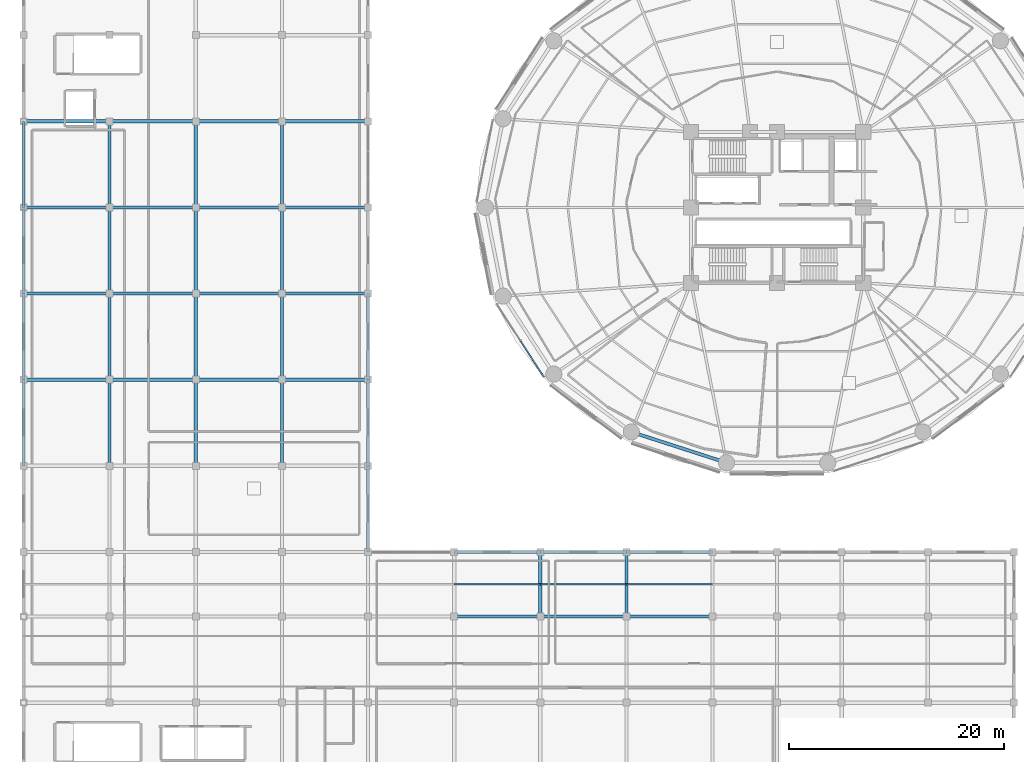
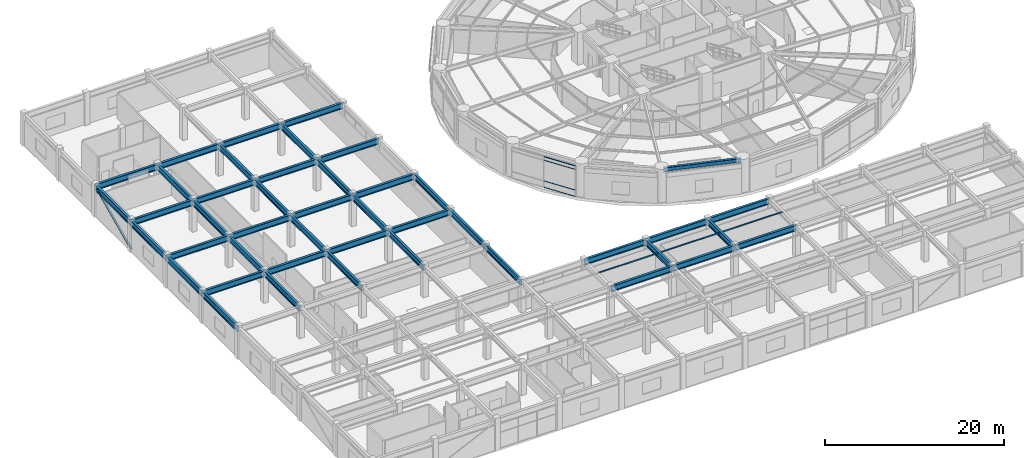
# One storey, part 7 of 46: 44 beams, 8 members, 1 element without a shape of its own.
"""IFC4 building model written with IfcOpenShell, lengths in metres."""

from ifc_helpers import new_model, si_unit, direction, frame, origin, origin_2d, place, context, subcontext, project, spatial, hollow_rectangle, hollow_circle, i_section, extrude, material, layer, layer_set, material_profile, profile_set, type_object, element, aggregate, save


model = new_model("IFC4")

# Units and contexts
model_context = context("Model", 3, precision=1e-05, world=origin(), true_north=direction((0.0, 1.0)))
body_context = subcontext(model_context, "Body", "Model", "MODEL_VIEW")
ifc_project = project(units=[si_unit("LENGTHUNIT", "METRE"), si_unit("AREAUNIT", "SQUARE_METRE"), si_unit("VOLUMEUNIT", "CUBIC_METRE"), si_unit("PLANEANGLEUNIT", "RADIAN"), si_unit("MASSUNIT", "GRAM", prefix="KILO")], contexts=[model_context])

# Site, building, storey
site_placement = place(None, origin())
site = spatial("IfcSite", under=ifc_project, at=site_placement, CompositionType="ELEMENT")
building_placement = place(site_placement, origin())
building = spatial("IfcBuilding", under=site, at=building_placement, Name="Kelanora Arch Commons", CompositionType="ELEMENT")
storey_placement = place(building_placement, frame((0.0, 0.0, 18.0)))
storey = spatial("IfcBuildingStorey", under=building, at=storey_placement, Name="L04", CompositionType="ELEMENT", Elevation=18.0)

# Beams
ifc_material_1 = material(Name="Steel S355", Category="steel")
ifc_material_profile_1 = material_profile(ifc_material_1, i_section(OverallWidth=0.300048828125, OverallDepth=0.800048828125, WebThickness=0.017578125, FlangeThickness=0.032958984375, FilletRadius=0.030029296875, at=origin_2d()), Name="HEB800")
ifc_profile_set_1 = profile_set([ifc_material_profile_1], Name="Steel S355")
beam_type_1 = type_object("IfcBeamType", Name="BM-MKT-ROOF", PredefinedType="USERDEFINED", material=ifc_profile_set_1)
for number, where, z_axis, x_axis, name in (
    (1, (4.0, 34.0, 3.860107421875), (0.0, 1.0, 0.0), (-1.0, 0.0, 0.0), "Market/Basement Frame Beam 010 L04"),
    (2, (4.0, 42.0, 3.860107421875), (1.0, 0.0, 0.0), (0.0, 1.0, 0.0), "Market/Basement Frame Beam 011 L04"),
    (3, (4.0, 42.0, 3.860107421875), (0.0, 1.0, 0.0), (-1.0, 0.0, 0.0), "Market/Basement Frame Beam 012 L04"),
    (4, (4.0, 50.0, 3.860107421875), (1.0, 0.0, 0.0), (0.0, 1.0, 0.0), "Market/Basement Frame Beam 013 L04"),
    (5, (4.0, 50.0, 3.860107421875), (0.0, 1.0, 0.0), (-1.0, 0.0, 0.0), "Market/Basement Frame Beam 014 L04"),
    (6, (4.0, 58.0, 3.860107421875), (1.0, 0.0, 0.0), (0.0, 1.0, 0.0), "Market/Basement Frame Beam 015 L04"),
    (7, (4.0, 58.0, 3.860107421875), (0.0, 1.0, 0.0), (-1.0, 0.0, 0.0), "Market/Basement Frame Beam 016 L04"),
    (8, (4.0, 66.0, 3.860107421875), (1.0, 0.0, 0.0), (0.0, 1.0, 0.0), "Market/Basement Frame Beam 017 L04"),
    (9, (12.0, 34.0, 3.860107421875), (0.0, 1.0, 0.0), (-1.0, 0.0, 0.0), "Market/Basement Frame Beam 029 L04"),
    (10, (12.0, 42.0, 3.860107421875), (1.0, 0.0, 0.0), (0.0, 1.0, 0.0), "Market/Basement Frame Beam 030 L04"),
    (11, (12.0, 42.0, 3.860107421875), (0.0, 1.0, 0.0), (-1.0, 0.0, 0.0), "Market/Basement Frame Beam 031 L04"),
    (12, (12.0, 50.0, 3.860107421875), (1.0, 0.0, 0.0), (0.0, 1.0, 0.0), "Market/Basement Frame Beam 032 L04"),
    (13, (12.0, 50.0, 3.860107421875), (0.0, 1.0, 0.0), (-1.0, 0.0, 0.0), "Market/Basement Frame Beam 033 L04"),
    (14, (12.0, 58.0, 3.860107421875), (1.0, 0.0, 0.0), (0.0, 1.0, 0.0), "Market/Basement Frame Beam 034 L04"),
    (15, (12.0, 58.0, 3.860107421875), (0.0, 1.0, 0.0), (-1.0, 0.0, 0.0), "Market/Basement Frame Beam 035 L04"),
    (16, (12.0, 66.0, 3.860107421875), (1.0, 0.0, 0.0), (0.0, 1.0, 0.0), "Market/Basement Frame Beam 036 L04"),
    (17, (20.0, 34.0, 3.860107421875), (0.0, 1.0, 0.0), (-1.0, 0.0, 0.0), "Market/Basement Frame Beam 047 L04"),
    (18, (20.0, 42.0, 3.860107421875), (1.0, 0.0, 0.0), (0.0, 1.0, 0.0), "Market/Basement Frame Beam 048 L04"),
    (19, (20.0, 42.0, 3.860107421875), (0.0, 1.0, 0.0), (-1.0, 0.0, 0.0), "Market/Basement Frame Beam 049 L04"),
    (20, (20.0, 50.0, 3.860107421875), (1.0, 0.0, 0.0), (0.0, 1.0, 0.0), "Market/Basement Frame Beam 050 L04"),
    (21, (20.0, 50.0, 3.860107421875), (0.0, 1.0, 0.0), (-1.0, 0.0, 0.0), "Market/Basement Frame Beam 051 L04"),
    (22, (20.0, 58.0, 3.860107421875), (1.0, 0.0, 0.0), (0.0, 1.0, 0.0), "Market/Basement Frame Beam 052 L04"),
    (23, (20.0, 58.0, 3.860107421875), (0.0, 1.0, 0.0), (-1.0, 0.0, 0.0), "Market/Basement Frame Beam 053 L04"),
    (24, (20.0, 66.0, 3.860107421875), (1.0, 0.0, 0.0), (0.0, 1.0, 0.0), "Market/Basement Frame Beam 054 L04"),
    (25, (28.0, 34.0, 3.860107421875), (0.0, 1.0, 0.0), (-1.0, 0.0, 0.0), "Market/Basement Frame Beam 068 L04"),
    (26, (28.0, 42.0, 3.860107421875), (1.0, 0.0, 0.0), (0.0, 1.0, 0.0), "Market/Basement Frame Beam 069 L04"),
    (27, (28.0, 42.0, 3.860107421875), (0.0, 1.0, 0.0), (-1.0, 0.0, 0.0), "Market/Basement Frame Beam 070 L04"),
    (28, (28.0, 50.0, 3.860107421875), (1.0, 0.0, 0.0), (0.0, 1.0, 0.0), "Market/Basement Frame Beam 071 L04"),
    (29, (28.0, 50.0, 3.860107421875), (0.0, 1.0, 0.0), (-1.0, 0.0, 0.0), "Market/Basement Frame Beam 072 L04"),
    (30, (28.0, 58.0, 3.860107421875), (1.0, 0.0, 0.0), (0.0, 1.0, 0.0), "Market/Basement Frame Beam 073 L04"),
    (31, (28.0, 58.0, 3.860107421875), (0.0, 1.0, 0.0), (-1.0, 0.0, 0.0), "Market/Basement Frame Beam 074 L04"),
    (32, (28.0, 66.0, 3.860107421875), (1.0, 0.0, 0.0), (0.0, 1.0, 0.0), "Market/Basement Frame Beam 075 L04"),
    (33, (36.0, 26.0, 3.860107421875), (0.0, 1.0, 0.0), (-1.0, 0.0, 0.0), "Market/Basement Frame Beam 087 L04"),
    (34, (36.0, 34.0, 3.860107421875), (0.0, 1.0, 0.0), (-1.0, 0.0, 0.0), "Market/Basement Frame Beam 088 L04"),
    (35, (36.0, 42.0, 3.860107421875), (0.0, 1.0, 0.0), (-1.0, 0.0, 0.0), "Market/Basement Frame Beam 089 L04"),
    (36, (44.0, 20.0, 3.860107421875), (1.0, 0.0, 0.0), (0.0, 1.0, 0.0), "Market/Basement Frame Beam 098 L04"),
    (37, (44.0, 26.0, 3.860107421875), (1.0, 0.0, 0.0), (0.0, 1.0, 0.0), "Market/Basement Frame Beam 100 L04"),
    (38, (52.0, 20.0, 3.860107421875), (1.0, 0.0, 0.0), (0.0, 1.0, 0.0), "Market/Basement Frame Beam 105 L04"),
):
    element("IfcBeam", number, at=place(storey_placement, frame(where, z_axis=z_axis, x_axis=x_axis)), inside=storey, type_object=beam_type_1, Name=name, ObjectType="TRANSFER_GIRDER", PredefinedType="USERDEFINED", context=body_context, shape_type="SweptSolid", body=[
        extrude(i_section(OverallWidth=0.300048828125, OverallDepth=0.800048828125, WebThickness=0.017578125, FlangeThickness=0.032958984375, FilletRadius=0.030029296875, at=origin_2d()), origin(), (0.0, 0.0, 1.0), 8.0),
    ])
beam_1_placement = place(storey_placement, frame((52.0, 20.0, 3.860107421875), z_axis=(0.0, 1.0, 0.0), x_axis=(-1.0, 0.0, 0.0)))
element("IfcBeam", 39, at=beam_1_placement, inside=storey, type_object=beam_type_1, Name="Market/Basement Frame Beam 106 L04", ObjectType="TRANSFER_GIRDER", PredefinedType="USERDEFINED", context=body_context, shape_type="SweptSolid", body=[
    extrude(i_section(OverallWidth=0.300048828125, OverallDepth=0.800048828125, WebThickness=0.017578125, FlangeThickness=0.032958984375, FilletRadius=0.030029296875, at=origin_2d()), origin(), (0.0, 0.0, 1.0), 6.0),
])
for number, where, z_axis, x_axis, name in (
    (40, (52.0, 26.0, 3.860107421875), (1.0, 0.0, 0.0), (0.0, 1.0, 0.0), "Market/Basement Frame Beam 107 L04"),
    (41, (60.0, 20.0, 3.860107421875), (1.0, 0.0, 0.0), (0.0, 1.0, 0.0), "Market/Basement Frame Beam 112 L04"),
):
    element("IfcBeam", number, at=place(storey_placement, frame(where, z_axis=z_axis, x_axis=x_axis)), inside=storey, type_object=beam_type_1, Name=name, ObjectType="TRANSFER_GIRDER", PredefinedType="USERDEFINED", context=body_context, shape_type="SweptSolid", body=[
        extrude(i_section(OverallWidth=0.300048828125, OverallDepth=0.800048828125, WebThickness=0.017578125, FlangeThickness=0.032958984375, FilletRadius=0.030029296875, at=origin_2d()), origin(), (0.0, 0.0, 1.0), 8.0),
    ])
beam_2_placement = place(storey_placement, frame((60.0, 20.0, 3.860107421875), z_axis=(0.0, 1.0, 0.0), x_axis=(-1.0, 0.0, 0.0)))
element("IfcBeam", 42, at=beam_2_placement, inside=storey, type_object=beam_type_1, Name="Market/Basement Frame Beam 113 L04", ObjectType="TRANSFER_GIRDER", PredefinedType="USERDEFINED", context=body_context, shape_type="SweptSolid", body=[
    extrude(i_section(OverallWidth=0.300048828125, OverallDepth=0.800048828125, WebThickness=0.017578125, FlangeThickness=0.032958984375, FilletRadius=0.030029296875, at=origin_2d()), origin(), (0.0, 0.0, 1.0), 6.0),
])
beam_3_placement = place(storey_placement, frame((60.0, 26.0, 3.860107421875), z_axis=(1.0, 0.0, 0.0), x_axis=(0.0, 1.0, 0.0)))
element("IfcBeam", 43, at=beam_3_placement, inside=storey, type_object=beam_type_1, Name="Market/Basement Frame Beam 114 L04", ObjectType="TRANSFER_GIRDER", PredefinedType="USERDEFINED", context=body_context, shape_type="SweptSolid", body=[
    extrude(i_section(OverallWidth=0.300048828125, OverallDepth=0.800048828125, WebThickness=0.017578125, FlangeThickness=0.032958984375, FilletRadius=0.030029296875, at=origin_2d()), origin(), (0.0, 0.0, 1.0), 8.0),
])
ifc_material_profile_2 = material_profile(ifc_material_1, i_section(OverallWidth=0.300048828125, OverallDepth=0.60009765625, WebThickness=0.015380859375, FlangeThickness=0.030029296875, FilletRadius=0.027099609375, at=origin_2d()), Name="HEB600")
ifc_profile_set_2 = profile_set([ifc_material_profile_2], Name="Steel S355")
beam_type_2 = type_object("IfcBeamType", Name="BM-SPN-Z1", PredefinedType="SPANDREL", material=ifc_profile_set_2)
beam_4_placement = place(storey_placement, frame((60.669189453125, 37.078369140625, 3.93994140625), z_axis=(0.951411479564, -0.307922387224, 0.0), x_axis=(0.307922387224, 0.951411479564, 0.0)))
element("IfcBeam", 44, at=beam_4_placement, inside=storey, type_object=beam_type_2, Name="Perimeter Spandrel Beam BS-24 L04", PredefinedType="SPANDREL", context=body_context, shape_type="SweptSolid", body=[
    extrude(i_section(OverallWidth=0.300048828125, OverallDepth=0.60009765625, WebThickness=0.015380859375, FlangeThickness=0.030029296875, FilletRadius=0.027099609375, at=origin_2d()), origin(), (0.0, 0.0, 1.0), 8.84912109375),
])

# Curtain wall, members
ifc_material_2 = material(Name="Terracotta ceramic-fritted low-E glass and aluminium", Category="masonry")
ifc_layer = layer(ifc_material_2, 0.2099609375)
ifc_layer_set = layer_set([ifc_layer], Name="Terracotta ceramic-fritted low-E glass and aluminium")
curtain_wall_type = type_object("IfcCurtainWallType", Name="CW-SYS-04", PredefinedType="NOTDEFINED", material=ifc_layer_set)
curtain_wall_placement = place(storey_placement, origin())
curtain_wall = element("IfcCurtainWall", 45, at=curtain_wall_placement, inside=storey, type_object=curtain_wall_type, Name="Unitised Curtain Wall L04-B10", PredefinedType="NOTDEFINED")
ifc_material_3 = material(Name="Powder-coated aluminium terracotta", Category="masonry")
ifc_material_profile_3 = material_profile(ifc_material_3, hollow_rectangle(XDim=0.139892578125, YDim=0.06005859375, WallThickness=0.0048828125, InnerFilletRadius=0.0048828125, OuterFilletRadius=0.010009765625, at=origin_2d()), Name="CWT140x60")
ifc_profile_set_3 = profile_set([ifc_material_profile_3], Name="Powder-coated aluminium terracotta")
member_type_1 = type_object("IfcMemberType", Name="CWT-HVY", PredefinedType="USERDEFINED", material=ifc_profile_set_3)
member_1_placement = place(storey_placement, frame((50.17529296875, 45.60400390625, 0.030029296875), z_axis=(0.54299796475, -0.839734011623, 0.0), x_axis=(0.839734011623, 0.54299796475, 0.0)))
member_1 = element("IfcMember", 46, at=member_1_placement, type_object=member_type_1, Name="CW-04 transom 2.1", ObjectType="TRANSOM", PredefinedType="USERDEFINED", context=body_context, shape_type="SweptSolid", body=[
    extrude(hollow_rectangle(XDim=0.139892578125, YDim=0.06005859375, WallThickness=0.0048828125, InnerFilletRadius=0.0048828125, OuterFilletRadius=0.010009765625, at=origin_2d()), origin(), (0.0, 0.0, 1.0), 3.95654296875),
])
member_2_placement = place(storey_placement, frame((50.17529296875, 45.60400390625, 0.89990234375), z_axis=(0.54299796475, -0.839734011623, 0.0), x_axis=(0.839734011623, 0.54299796475, 0.0)))
member_2 = element("IfcMember", 47, at=member_2_placement, type_object=member_type_1, Name="CW-04 transom 2.2", ObjectType="TRANSOM", PredefinedType="USERDEFINED", context=body_context, shape_type="SweptSolid", body=[
    extrude(hollow_rectangle(XDim=0.139892578125, YDim=0.06005859375, WallThickness=0.0048828125, InnerFilletRadius=0.0048828125, OuterFilletRadius=0.010009765625, at=origin_2d()), origin(), (0.0, 0.0, 1.0), 3.95654296875),
])
member_3_placement = place(storey_placement, frame((50.17529296875, 45.60400390625, 3.72509765625), z_axis=(0.54299796475, -0.839734011623, 0.0), x_axis=(0.839734011623, 0.54299796475, 0.0)))
member_3 = element("IfcMember", 48, at=member_3_placement, type_object=member_type_1, Name="CW-04 transom 2.3", ObjectType="TRANSOM", PredefinedType="USERDEFINED", context=body_context, shape_type="SweptSolid", body=[
    extrude(hollow_rectangle(XDim=0.139892578125, YDim=0.06005859375, WallThickness=0.0048828125, InnerFilletRadius=0.0048828125, OuterFilletRadius=0.010009765625, at=origin_2d()), origin(), (0.0, 0.0, 1.0), 3.95654296875),
])
member_4_placement = place(storey_placement, frame((50.17529296875, 45.60400390625, 4.195068359375), z_axis=(0.54299796475, -0.839734011623, 0.0), x_axis=(0.839734011623, 0.54299796475, 0.0)))
member_4 = element("IfcMember", 49, at=member_4_placement, type_object=member_type_1, Name="CW-04 transom 2.4", ObjectType="TRANSOM", PredefinedType="USERDEFINED", context=body_context, shape_type="SweptSolid", body=[
    extrude(hollow_rectangle(XDim=0.139892578125, YDim=0.06005859375, WallThickness=0.0048828125, InnerFilletRadius=0.0048828125, OuterFilletRadius=0.010009765625, at=origin_2d()), origin(), (0.0, 0.0, 1.0), 3.95654296875),
])
aggregate(curtain_wall, [member_1, member_2, member_3, member_4])

# Members
ifc_material_profile_4 = material_profile(ifc_material_1, hollow_circle(Radius=0.136474609375, WallThickness=0.012451171875, at=origin_2d()), Name="CHS273x12.5")
ifc_profile_set_4 = profile_set([ifc_material_profile_4], Name="Steel S355")
member_type_2 = type_object("IfcMemberType", Name="MEM-MKT-BRACE", PredefinedType="BRACE", material=ifc_profile_set_4)
member_5_placement = place(storey_placement, frame((4.0, 58.0, 0.25), z_axis=(0.0, 0.905894061359, 0.423504367858), x_axis=(-1.0, 0.0, 0.0)))
element("IfcMember", 50, at=member_5_placement, inside=storey, type_object=member_type_2, Name="Market Hall Lateral Brace 04 L04", PredefinedType="BRACE", context=body_context, shape_type="SweptSolid", body=[
    extrude(hollow_circle(Radius=0.136474609375, WallThickness=0.012451171875, at=origin_2d()), origin(), (0.0, 0.0, 1.0), 8.8310546875),
])
ifc_material_profile_5 = material_profile(ifc_material_1, hollow_rectangle(XDim=0.070068359375, YDim=0.179931640625, WallThickness=0.0048828125, InnerFilletRadius=0.0048828125, OuterFilletRadius=0.010009765625, at=origin_2d()), Name="RHS180x70x5")
ifc_profile_set_5 = profile_set([ifc_material_profile_5], Name="Steel S355")
member_type_3 = type_object("IfcMemberType", Name="MEM-MKT-PURLIN", PredefinedType="PURLIN", material=ifc_profile_set_5)
for number, where, z_axis, x_axis, name in (
    (51, (44.0, 23.0, 4.14990234375), (1.0, 0.0, 0.0), (0.0, 1.0, 0.0), "Market Hall Roof Purlin 30"),
    (52, (52.0, 23.0, 4.14990234375), (1.0, 0.0, 0.0), (0.0, 1.0, 0.0), "Market Hall Roof Purlin 31"),
    (53, (60.0, 23.0, 4.14990234375), (1.0, 0.0, 0.0), (0.0, 1.0, 0.0), "Market Hall Roof Purlin 32"),
):
    element("IfcMember", number, at=place(storey_placement, frame(where, z_axis=z_axis, x_axis=x_axis)), inside=storey, type_object=member_type_3, Name=name, PredefinedType="PURLIN", context=body_context, shape_type="SweptSolid", body=[
        extrude(hollow_rectangle(XDim=0.070068359375, YDim=0.179931640625, WallThickness=0.0048828125, InnerFilletRadius=0.0048828125, OuterFilletRadius=0.010009765625, at=origin_2d()), origin(), (0.0, 0.0, 1.0), 8.0),
    ])

save(model, "model.ifc")
